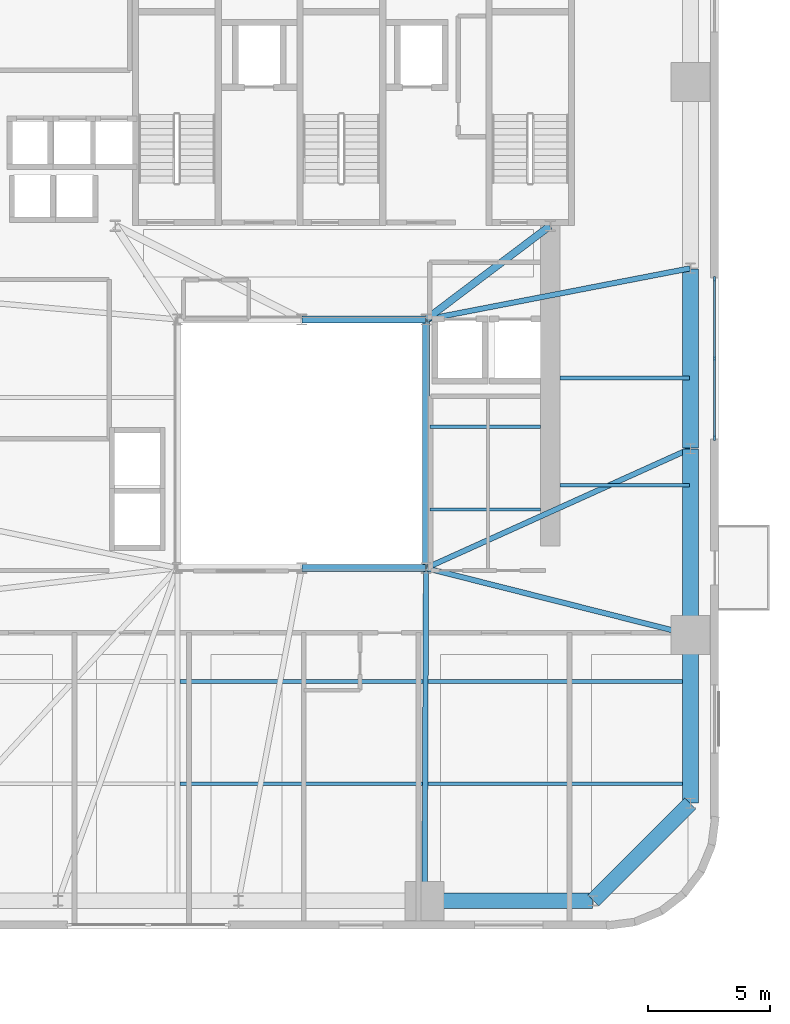
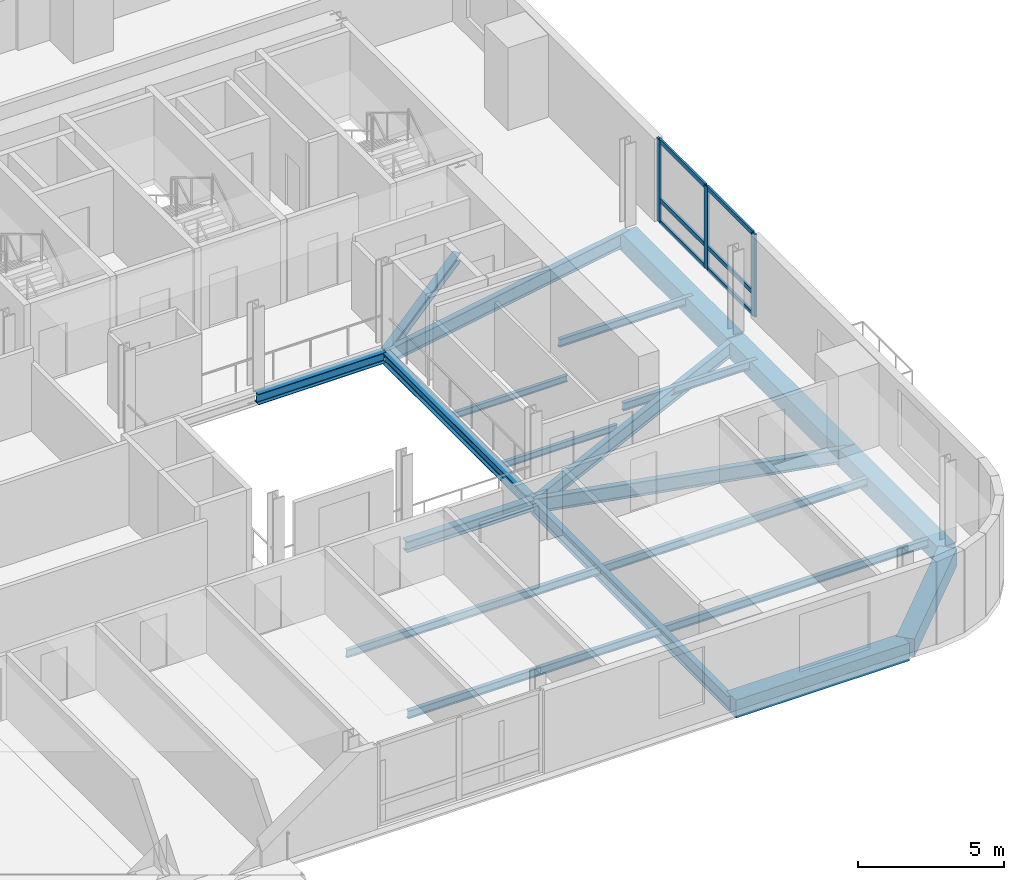
# One storey, part 3 of 11: 19 beams, 9 members, 1 element without a shape of its own.
"""IFC4 building model written with IfcOpenShell, lengths in metres."""

from ifc_helpers import new_model, si_unit, direction, frame, origin, origin_2d, place, context, subcontext, project, spatial, rectangle, i_section, extrude, source, transform, mapped, material, material_profile, profile_set, type_object, element, aggregate, save


model = new_model("IFC4")

# Units and contexts
model_context = context("Model", 3, precision=1e-05, world=origin(), true_north=direction((0.0, 1.0)))
body_context = subcontext(model_context, "Body", "Model", "MODEL_VIEW")
ifc_project = project(units=[si_unit("LENGTHUNIT", "METRE"), si_unit("AREAUNIT", "SQUARE_METRE"), si_unit("VOLUMEUNIT", "CUBIC_METRE"), si_unit("PLANEANGLEUNIT", "RADIAN"), si_unit("MASSUNIT", "GRAM", prefix="KILO")], contexts=[model_context])

# Site, building, storey
site_placement = place(None, origin())
site = spatial("IfcSite", under=ifc_project, at=site_placement, CompositionType="ELEMENT")
building_placement = place(site_placement, origin())
building = spatial("IfcBuilding", under=site, at=building_placement, Name="Vardaveli Station Tower", CompositionType="ELEMENT")
storey_placement = place(building_placement, frame((0.0, 0.0, 155.699951171875)))
storey = spatial("IfcBuildingStorey", under=building, at=storey_placement, Name="L40", CompositionType="ELEMENT", Elevation=155.699951171875)

# Beams
ifc_material_1 = material(Name="Structural steel S355J2", Category="steel")
ifc_material_profile_1 = material_profile(ifc_material_1, i_section(OverallWidth=0.300048828125, OverallDepth=0.449951171875, WebThickness=0.013916015625, FlangeThickness=0.02587890625, FilletRadius=0.027099609375, at=origin_2d()), Name="HEB 450")
ifc_profile_set_1 = profile_set([ifc_material_profile_1], Name="Structural steel S355J2")
beam_type_1 = type_object("IfcBeamType", Name="BM-HEB450", PredefinedType="BEAM", material=ifc_profile_set_1)
shared_shape_1 = source(origin(), body_context, "Body", "SweptSolid", [
    extrude(i_section(OverallWidth=0.300048828125, OverallDepth=0.449951171875, WebThickness=0.013916015625, FlangeThickness=0.02587890625, FilletRadius=0.027099609375, at=origin_2d()), origin(), (0.0, 0.0, 1.0), 5.059814453125),
])
for number, where, z_axis, x_axis, name in (
    (1, (36.320068359375, 16.60009765625, -0.46484375), (1.0, 0.0, 0.0), (0.0, 1.0, 0.0), "ABM-L40-02"),
    (2, (41.3798828125, 26.800048828125, -0.46484375), (-1.0, 0.0, 0.0), (0.0, -1.0, 0.0), "ABM-L40-04"),
):
    element("IfcBeam", number, at=place(storey_placement, frame(where, z_axis=z_axis, x_axis=x_axis)), inside=storey, type_object=beam_type_1, Name=name, PredefinedType="BEAM", context=body_context, shape_type="MappedRepresentation", body=[
        mapped(shared_shape_1, transform((0.0, 0.0, 0.0), scale=1.0)),
    ])
shared_shape_2 = source(origin(), body_context, "Body", "SweptSolid", [
    extrude(i_section(OverallWidth=0.300048828125, OverallDepth=0.449951171875, WebThickness=0.013916015625, FlangeThickness=0.02587890625, FilletRadius=0.027099609375, at=origin_2d()), origin(), (0.0, 0.0, 1.0), 10.159912109375),
])
beam_1_placement = place(storey_placement, frame((41.39990234375, 16.6201171875, -0.46484375), z_axis=(0.0, 1.0, 0.0), x_axis=(-1.0, 0.0, 0.0)))
element("IfcBeam", 3, at=beam_1_placement, inside=storey, type_object=beam_type_1, Name="ABM-L40-03", PredefinedType="BEAM", context=body_context, shape_type="MappedRepresentation", body=[
    mapped(shared_shape_2, transform((0.0, 0.0, 0.0), scale=1.0)),
])
ifc_material_profile_2 = material_profile(ifc_material_1, i_section(OverallWidth=0.300048828125, OverallDepth=0.360107421875, WebThickness=0.012451171875, FlangeThickness=0.0224609375, FilletRadius=0.027099609375, at=origin_2d()), Name="HEB 360")
ifc_profile_set_2 = profile_set([ifc_material_profile_2], Name="Structural steel S355J2")
beam_type_2 = type_object("IfcBeamType", Name="BM-HEB360", PredefinedType="BEAM", material=ifc_profile_set_2)
shared_shape_3 = source(origin(), body_context, "Body", "SweptSolid", [
    extrude(i_section(OverallWidth=0.300048828125, OverallDepth=0.360107421875, WebThickness=0.012451171875, FlangeThickness=0.0224609375, FilletRadius=0.027099609375, at=origin_2d()), origin(), (0.0, 0.0, 1.0), 6.35009765625),
])
beam_2_placement = place(storey_placement, frame((41.416015625, 26.81201171875, -0.419921875), z_axis=(0.798118337722, 0.602500721154, 0.0), x_axis=(-0.602500721154, 0.798118337722, 0.0)))
element("IfcBeam", 4, at=beam_2_placement, inside=storey, type_object=beam_type_2, Name="CBM-L40-02", PredefinedType="BEAM", context=body_context, shape_type="MappedRepresentation", body=[
    mapped(shared_shape_3, transform((0.0, 0.0, 0.0), scale=1.0)),
])
ifc_material_2 = material(Name="Precast concrete C45/55", Category="concrete")
ifc_material_profile_3 = material_profile(ifc_material_2, rectangle(XDim=0.64990234375, YDim=0.75, at=origin_2d()), Name="LPB 650x750")
ifc_profile_set_3 = profile_set([ifc_material_profile_3], Name="Precast concrete C45/55")
beam_type_3 = type_object("IfcBeamType", Name="BM-LPB-750", PredefinedType="BEAM", material=ifc_profile_set_3)
shared_shape_4 = source(origin(), body_context, "Body", "SweptSolid", [
    extrude(rectangle(XDim=0.64990234375, YDim=0.75, at=origin_2d()), origin(), (0.0, 0.0, 1.0), 7.60009765625),
])
beam_3_placement = place(storey_placement, frame((52.25, 13.8798828125, -0.614990234375), z_axis=(0.0, 1.0, 0.0), x_axis=(-1.0, 0.0, 0.0)))
element("IfcBeam", 5, at=beam_3_placement, inside=storey, type_object=beam_type_3, Name="RBM-L40-07", PredefinedType="BEAM", context=body_context, shape_type="MappedRepresentation", body=[
    mapped(shared_shape_4, transform((0.0, 0.0, 0.0), scale=1.0)),
])
shared_shape_5 = source(origin(), body_context, "Body", "SweptSolid", [
    extrude(rectangle(XDim=0.64990234375, YDim=0.75, at=origin_2d()), origin(), (0.0, 0.0, 1.0), 7.35986328125),
])
beam_4_placement = place(storey_placement, frame((52.25, 21.52001953125, -0.614990234375), z_axis=(0.0, 1.0, 0.0), x_axis=(-1.0, 0.0, 0.0)))
element("IfcBeam", 6, at=beam_4_placement, inside=storey, type_object=beam_type_3, Name="RBM-L40-08", PredefinedType="BEAM", context=body_context, shape_type="MappedRepresentation", body=[
    mapped(shared_shape_5, transform((0.0, 0.0, 0.0), scale=1.0)),
])
shared_shape_6 = source(origin(), body_context, "Body", "SweptSolid", [
    extrude(rectangle(XDim=0.64990234375, YDim=0.75, at=origin_2d()), origin(), (0.0, 0.0, 1.0), 6.869873046875),
])
beam_5_placement = place(storey_placement, frame((41.360107421875, 2.949951171875, -0.614990234375), z_axis=(1.0, 0.0, 0.0), x_axis=(0.0, 1.0, 0.0)))
element("IfcBeam", 7, at=beam_5_placement, inside=storey, type_object=beam_type_3, Name="RBM-L40-04", PredefinedType="BEAM", context=body_context, shape_type="MappedRepresentation", body=[
    mapped(shared_shape_6, transform((0.0, 0.0, 0.0), scale=1.0)),
])
shared_shape_7 = source(origin(), body_context, "Body", "SweptSolid", [
    extrude(rectangle(XDim=0.64990234375, YDim=0.75, at=origin_2d()), origin(), (0.0, 0.0, 1.0), 5.61669921875),
])
beam_6_placement = place(storey_placement, frame((48.26416015625, 2.964111328125, -0.614990234375), z_axis=(0.707106781187, 0.707106781187, 0.0), x_axis=(-0.707106781187, 0.707106781187, 0.0)))
element("IfcBeam", 8, at=beam_6_placement, inside=storey, type_object=beam_type_3, Name="RBM-L40-05", PredefinedType="BEAM", context=body_context, shape_type="MappedRepresentation", body=[
    mapped(shared_shape_7, transform((0.0, 0.0, 0.0), scale=1.0)),
])
shared_shape_8 = source(origin(), body_context, "Body", "SweptSolid", [
    extrude(rectangle(XDim=0.64990234375, YDim=0.75, at=origin_2d()), origin(), (0.0, 0.0, 1.0), 6.8701171875),
])
beam_7_placement = place(storey_placement, frame((52.25, 6.969970703125, -0.614990234375), z_axis=(0.0, 1.0, 0.0), x_axis=(-1.0, 0.0, 0.0)))
element("IfcBeam", 9, at=beam_7_placement, inside=storey, type_object=beam_type_3, Name="RBM-L40-06", PredefinedType="BEAM", context=body_context, shape_type="MappedRepresentation", body=[
    mapped(shared_shape_8, transform((0.0, 0.0, 0.0), scale=1.0)),
])
ifc_material_profile_4 = material_profile(ifc_material_1, i_section(OverallWidth=0.159912109375, OverallDepth=0.330078125, WebThickness=0.007568359375, FlangeThickness=0.011474609375, FilletRadius=0.01806640625, at=origin_2d()), Name="IPE 330")
ifc_profile_set_4 = profile_set([ifc_material_profile_4], Name="Structural steel S355J2")
beam_type_4 = type_object("IfcBeamType", Name="BM-IPE330", PredefinedType="JOIST", material=ifc_profile_set_4)
shared_shape_9 = source(origin(), body_context, "Body", "SweptSolid", [
    extrude(i_section(OverallWidth=0.159912109375, OverallDepth=0.330078125, WebThickness=0.007568359375, FlangeThickness=0.011474609375, FilletRadius=0.01806640625, at=origin_2d()), origin(), (0.0, 0.0, 1.0), 20.89794921875),
])
for number, where, z_axis, x_axis, name in (
    (10, (31.31201171875, 7.75, -0.405029296875), (1.0, 0.0, 0.0), (0.0, 1.0, 0.0), "SJ-L40-S02"),
    (11, (31.31201171875, 11.949951171875, -0.405029296875), (1.0, 0.0, 0.0), (0.0, 1.0, 0.0), "SJ-L40-S04"),
):
    element("IfcBeam", number, at=place(storey_placement, frame(where, z_axis=z_axis, x_axis=x_axis)), inside=storey, type_object=beam_type_4, Name=name, PredefinedType="JOIST", context=body_context, shape_type="MappedRepresentation", body=[
        mapped(shared_shape_9, transform((0.0, 0.0, 0.0), scale=1.0)),
    ])
shared_shape_10 = source(origin(), body_context, "Body", "SweptSolid", [
    extrude(i_section(OverallWidth=0.159912109375, OverallDepth=0.330078125, WebThickness=0.007568359375, FlangeThickness=0.011474609375, FilletRadius=0.01806640625, at=origin_2d()), origin(), (0.0, 0.0, 1.0), 5.304931640625),
])
for number, where, z_axis, x_axis, name in (
    (12, (46.905029296875, 20.0, -0.405029296875), (1.0, 0.0, 0.0), (0.0, 1.0, 0.0), "SJ-L40-E07"),
    (13, (46.905029296875, 24.39990234375, -0.405029296875), (1.0, 0.0, 0.0), (0.0, 1.0, 0.0), "SJ-L40-E08"),
):
    element("IfcBeam", number, at=place(storey_placement, frame(where, z_axis=z_axis, x_axis=x_axis)), inside=storey, type_object=beam_type_4, Name=name, PredefinedType="JOIST", context=body_context, shape_type="MappedRepresentation", body=[
        mapped(shared_shape_10, transform((0.0, 0.0, 0.0), scale=1.0)),
    ])
ifc_material_profile_5 = material_profile(ifc_material_1, i_section(OverallWidth=0.135009765625, OverallDepth=0.27001953125, WebThickness=0.006591796875, FlangeThickness=0.01025390625, FilletRadius=0.014892578125, at=origin_2d()), Name="IPE 270")
ifc_profile_set_5 = profile_set([ifc_material_profile_5], Name="Structural steel S355J2")
beam_type_5 = type_object("IfcBeamType", Name="BM-IPE270", PredefinedType="BEAM", material=ifc_profile_set_5)
shared_shape_11 = source(origin(), body_context, "Body", "SweptSolid", [
    extrude(i_section(OverallWidth=0.135009765625, OverallDepth=0.27001953125, WebThickness=0.006591796875, FlangeThickness=0.01025390625, FilletRadius=0.014892578125, at=origin_2d()), origin(), (0.0, 0.0, 1.0), 4.530029296875),
])
for number, where, z_axis, x_axis, name in (
    (14, (41.56494140625, 19.0, -0.375), (1.0, 0.0, 0.0), (0.0, 1.0, 0.0), "TJ-L40-01"),
    (15, (41.56494140625, 22.39990234375, -0.375), (1.0, 0.0, 0.0), (0.0, 1.0, 0.0), "TJ-L40-02"),
):
    element("IfcBeam", number, at=place(storey_placement, frame(where, z_axis=z_axis, x_axis=x_axis)), inside=storey, type_object=beam_type_5, Name=name, PredefinedType="BEAM", context=body_context, shape_type="MappedRepresentation", body=[
        mapped(shared_shape_11, transform((0.0, 0.0, 0.0), scale=1.0)),
    ])
ifc_material_profile_6 = material_profile(ifc_material_1, i_section(OverallWidth=0.219970703125, OverallDepth=0.60009765625, WebThickness=0.011962890625, FlangeThickness=0.01904296875, FilletRadius=0.02392578125, at=origin_2d()), Name="IPE 600")
ifc_profile_set_6 = profile_set([ifc_material_profile_6], Name="Structural steel S355J2")
beam_type_6 = type_object("IfcBeamType", Name="BM-IPE600", PredefinedType="BEAM", material=ifc_profile_set_6)
shared_shape_12 = source(origin(), body_context, "Body", "SweptSolid", [
    extrude(i_section(OverallWidth=0.219970703125, OverallDepth=0.60009765625, WebThickness=0.011962890625, FlangeThickness=0.01904296875, FilletRadius=0.02392578125, at=origin_2d()), origin(), (0.0, 0.0, 1.0), 13.6103515625),
])
beam_8_placement = place(storey_placement, frame((41.340087890625, 2.969970703125, -0.5400390625), z_axis=(0.004394812886, 0.999990342763, 0.0), x_axis=(-0.999990342763, 0.004394812886, 0.0)))
element("IfcBeam", 16, at=beam_8_placement, inside=storey, type_object=beam_type_6, Name="GBM-L40-04", PredefinedType="BEAM", context=body_context, shape_type="MappedRepresentation", body=[
    mapped(shared_shape_12, transform((0.0, 0.0, 0.0), scale=1.0)),
])
shared_shape_13 = source(origin(), body_context, "Body", "SweptSolid", [
    extrude(i_section(OverallWidth=0.219970703125, OverallDepth=0.60009765625, WebThickness=0.011962890625, FlangeThickness=0.01904296875, FilletRadius=0.02392578125, at=origin_2d()), origin(), (0.0, 0.0, 1.0), 11.150634765625),
])
beam_9_placement = place(storey_placement, frame((52.230712890625, 13.864990234375, -0.5400390625), z_axis=(-0.969561465826, 0.244848042642, 0.0), x_axis=(-0.244848042642, -0.969561465826, 0.0)))
element("IfcBeam", 17, at=beam_9_placement, inside=storey, type_object=beam_type_6, Name="GBM-L40-05", PredefinedType="BEAM", context=body_context, shape_type="MappedRepresentation", body=[
    mapped(shared_shape_13, transform((0.0, 0.0, 0.0), scale=1.0)),
])
shared_shape_14 = source(origin(), body_context, "Body", "SweptSolid", [
    extrude(i_section(OverallWidth=0.219970703125, OverallDepth=0.60009765625, WebThickness=0.011962890625, FlangeThickness=0.01904296875, FilletRadius=0.02392578125, at=origin_2d()), origin(), (0.0, 0.0, 1.0), 11.864990234375),
])
beam_10_placement = place(storey_placement, frame((52.231689453125, 21.49169921875, -0.5400390625), z_axis=(-0.911369354756, -0.411589478985, 0.0), x_axis=(0.411589478985, -0.911369354756, 0.0)))
element("IfcBeam", 18, at=beam_10_placement, inside=storey, type_object=beam_type_6, Name="GBM-L40-06", PredefinedType="BEAM", context=body_context, shape_type="MappedRepresentation", body=[
    mapped(shared_shape_14, transform((0.0, 0.0, 0.0), scale=1.0)),
])
shared_shape_15 = source(origin(), body_context, "Body", "SweptSolid", [
    extrude(i_section(OverallWidth=0.219970703125, OverallDepth=0.60009765625, WebThickness=0.011962890625, FlangeThickness=0.01904296875, FilletRadius=0.02392578125, at=origin_2d()), origin(), (0.0, 0.0, 1.0), 11.011474609375),
])
beam_11_placement = place(storey_placement, frame((52.23046875, 28.896240234375, -0.5400390625), z_axis=(-0.981777849093, -0.190032247343, 0.0), x_axis=(0.190032247343, -0.981777849093, 0.0)))
element("IfcBeam", 19, at=beam_11_placement, inside=storey, type_object=beam_type_6, Name="GBM-L40-07", PredefinedType="BEAM", context=body_context, shape_type="MappedRepresentation", body=[
    mapped(shared_shape_15, transform((0.0, 0.0, 0.0), scale=1.0)),
])

# Curtain wall, members
ifc_material_3 = material(Name="Travertine stone and solar-control glass", Category="masonry")
curtain_wall_type = type_object("IfcCurtainWallType", Name="CW-SYS-2", PredefinedType="NOTDEFINED", material=ifc_material_3)
curtain_wall_placement = place(storey_placement, origin())
curtain_wall = element("IfcCurtainWall", 20, at=curtain_wall_placement, inside=storey, type_object=curtain_wall_type, Name="CW-L40-E", PredefinedType="NOTDEFINED")
ifc_material_4 = material(Name="Anodised aluminium alloy 6063-T6", Category="aluminium")
ifc_material_profile_7 = material_profile(ifc_material_4, rectangle(XDim=0.0849609375, YDim=0.179931640625, at=origin_2d()), Name="CWT 85x180")
ifc_profile_set_7 = profile_set([ifc_material_profile_7], Name="Anodised aluminium alloy 6063-T6")
member_type_1 = type_object("IfcMemberType", Name="CW-SYS-2-TRAN", PredefinedType="NOTDEFINED", material=ifc_profile_set_7)
shared_shape_16 = source(origin(), body_context, "Body", "SweptSolid", [
    extrude(rectangle(XDim=0.0849609375, YDim=0.179931640625, at=origin_2d()), origin(), (0.0, 0.0, 1.0), 3.172607421875),
])
member_1_placement = place(storey_placement, frame((53.239990234375, 25.242431640625, 0.04248046875), z_axis=(0.0, 1.0, 0.0), x_axis=(-1.0, 0.0, 0.0)))
member_1 = element("IfcMember", 21, at=member_1_placement, type_object=member_type_1, Name="CW-2 transom 2.1", ObjectType="TRANSOM", PredefinedType="USERDEFINED", context=body_context, shape_type="MappedRepresentation", body=[
    mapped(shared_shape_16, transform((0.0, 0.0, 0.0), scale=1.0)),
])
member_2_placement = place(storey_placement, frame((53.239990234375, 25.242431640625, 0.949951171875), z_axis=(0.0, 1.0, 0.0), x_axis=(-1.0, 0.0, 0.0)))
member_2 = element("IfcMember", 22, at=member_2_placement, type_object=member_type_1, Name="CW-2 transom 2.2", ObjectType="TRANSOM", PredefinedType="USERDEFINED", context=body_context, shape_type="MappedRepresentation", body=[
    mapped(shared_shape_16, transform((0.0, 0.0, 0.0), scale=1.0)),
])
member_3_placement = place(storey_placement, frame((53.239990234375, 25.242431640625, 3.41748046875), z_axis=(0.0, 1.0, 0.0), x_axis=(-1.0, 0.0, 0.0)))
member_3 = element("IfcMember", 23, at=member_3_placement, type_object=member_type_1, Name="CW-2 transom 2.3", ObjectType="TRANSOM", PredefinedType="USERDEFINED", context=body_context, shape_type="MappedRepresentation", body=[
    mapped(shared_shape_16, transform((0.0, 0.0, 0.0), scale=1.0)),
])
shared_shape_17 = source(origin(), body_context, "Body", "SweptSolid", [
    extrude(rectangle(XDim=0.0849609375, YDim=0.179931640625, at=origin_2d()), origin(), (0.0, 0.0, 1.0), 3.17236328125),
])
member_4_placement = place(storey_placement, frame((53.239990234375, 21.985107421875, 0.04248046875), z_axis=(0.0, 1.0, 0.0), x_axis=(-1.0, 0.0, 0.0)))
member_4 = element("IfcMember", 24, at=member_4_placement, type_object=member_type_1, Name="CW-2 transom 1.1", ObjectType="TRANSOM", PredefinedType="USERDEFINED", context=body_context, shape_type="MappedRepresentation", body=[
    mapped(shared_shape_17, transform((0.0, 0.0, 0.0), scale=1.0)),
])
member_5_placement = place(storey_placement, frame((53.239990234375, 21.985107421875, 0.949951171875), z_axis=(0.0, 1.0, 0.0), x_axis=(-1.0, 0.0, 0.0)))
member_5 = element("IfcMember", 25, at=member_5_placement, type_object=member_type_1, Name="CW-2 transom 1.2", ObjectType="TRANSOM", PredefinedType="USERDEFINED", context=body_context, shape_type="MappedRepresentation", body=[
    mapped(shared_shape_17, transform((0.0, 0.0, 0.0), scale=1.0)),
])
member_6_placement = place(storey_placement, frame((53.239990234375, 21.985107421875, 3.41748046875), z_axis=(0.0, 1.0, 0.0), x_axis=(-1.0, 0.0, 0.0)))
member_6 = element("IfcMember", 26, at=member_6_placement, type_object=member_type_1, Name="CW-2 transom 1.3", ObjectType="TRANSOM", PredefinedType="USERDEFINED", context=body_context, shape_type="MappedRepresentation", body=[
    mapped(shared_shape_17, transform((0.0, 0.0, 0.0), scale=1.0)),
])
ifc_material_profile_8 = material_profile(ifc_material_4, rectangle(XDim=0.0849609375, YDim=0.219970703125, at=origin_2d()), Name="CWM 85x220")
ifc_profile_set_8 = profile_set([ifc_material_profile_8], Name="Anodised aluminium alloy 6063-T6")
member_type_2 = type_object("IfcMemberType", Name="CW-SYS-2-MULL", PredefinedType="MULLION", material=ifc_profile_set_8)
shared_shape_18 = source(origin(), body_context, "Body", "SweptSolid", [
    extrude(rectangle(XDim=0.0849609375, YDim=0.219970703125, at=origin_2d()), origin(), (0.0, 0.0, 1.0), 3.4599609375),
])
member_7_placement = place(storey_placement, frame((53.239990234375, 21.9423828125, 0.0), z_axis=(0.0, 0.0, 1.0), x_axis=(-1.0, 0.0, 0.0)))
member_7 = element("IfcMember", 27, at=member_7_placement, type_object=member_type_2, Name="CW-2 mullion 1", PredefinedType="MULLION", context=body_context, shape_type="MappedRepresentation", body=[
    mapped(shared_shape_18, transform((0.0, 0.0, 0.0), scale=1.0)),
])
member_8_placement = place(storey_placement, frame((53.239990234375, 25.199951171875, 0.0), z_axis=(0.0, 0.0, 1.0), x_axis=(-1.0, 0.0, 0.0)))
member_8 = element("IfcMember", 28, at=member_8_placement, type_object=member_type_2, Name="CW-2 mullion 2", PredefinedType="MULLION", context=body_context, shape_type="MappedRepresentation", body=[
    mapped(shared_shape_18, transform((0.0, 0.0, 0.0), scale=1.0)),
])
member_9_placement = place(storey_placement, frame((53.239990234375, 28.45751953125, 0.0), z_axis=(0.0, 0.0, 1.0), x_axis=(-1.0, 0.0, 0.0)))
member_9 = element("IfcMember", 29, at=member_9_placement, type_object=member_type_2, Name="CW-2 mullion 3", PredefinedType="MULLION", context=body_context, shape_type="MappedRepresentation", body=[
    mapped(shared_shape_18, transform((0.0, 0.0, 0.0), scale=1.0)),
])
aggregate(curtain_wall, [member_7, member_8, member_9, member_4, member_5, member_6, member_1, member_2, member_3])

save(model, "model.ifc")
